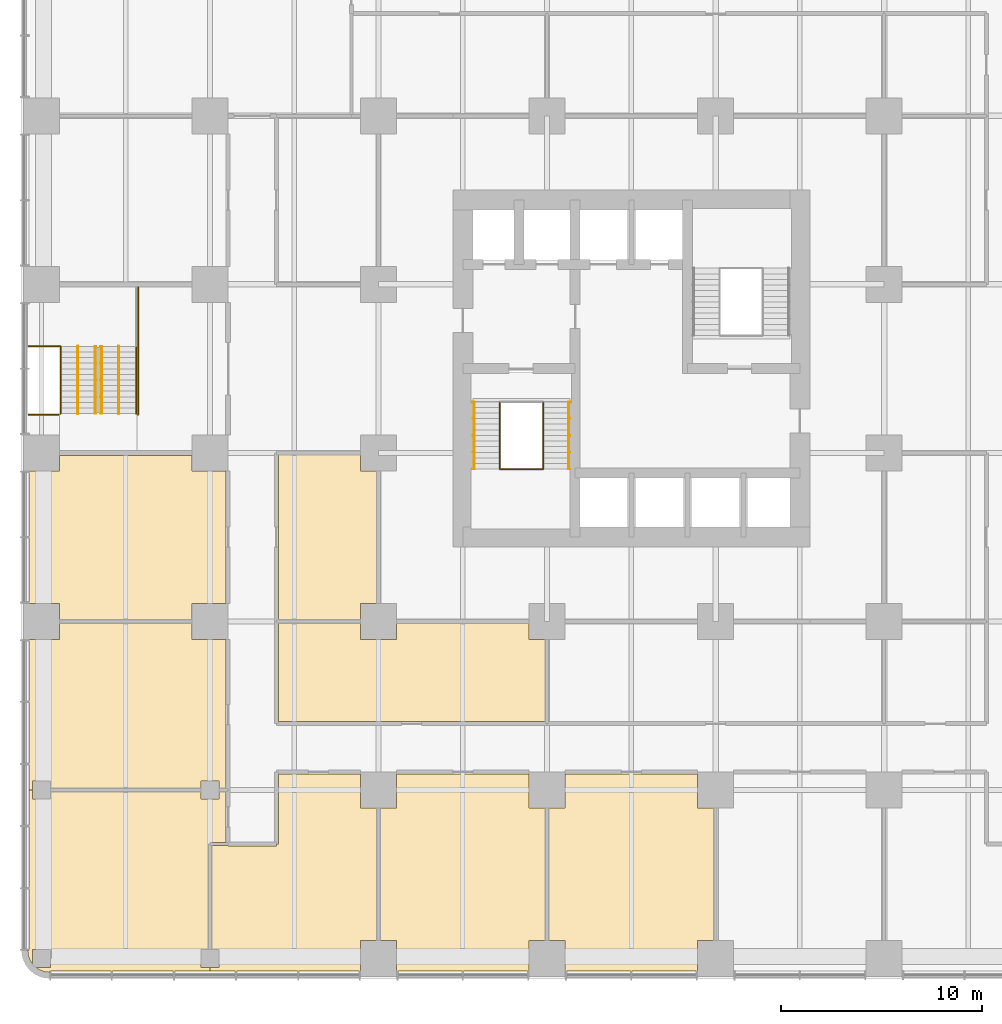
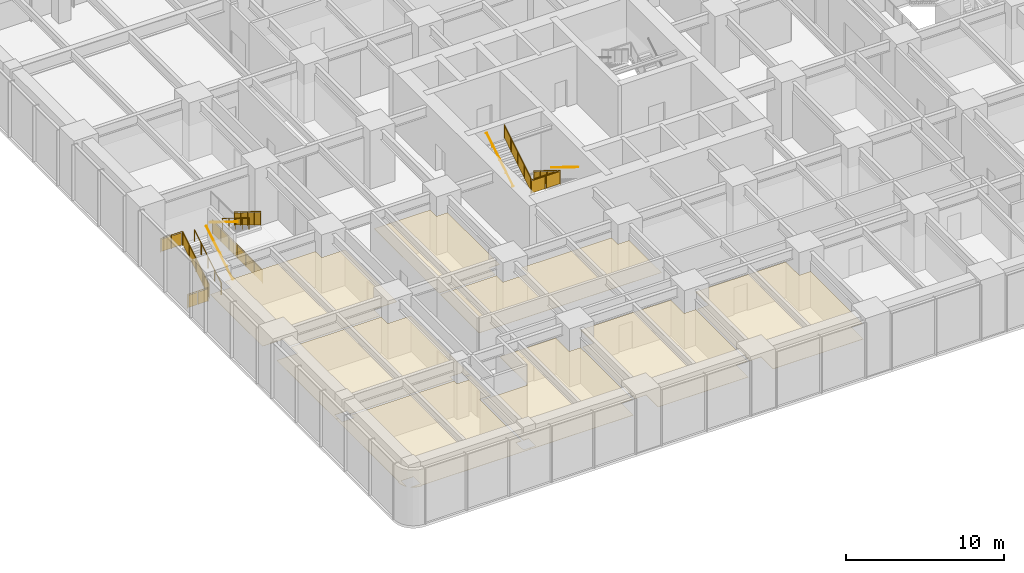
# One storey, part 14 of 17: 14 railings, 8 coverings.
"""IFC4 building model written with IfcOpenShell, lengths in metres."""

from ifc_helpers import new_model, si_unit, direction, frame, origin, origin_2d, place, context, subcontext, project, spatial, polyline, circle, outline, extrude, material, layer, layer_set, type_object, element, save


model = new_model("IFC4")

# Units and contexts
model_context = context("Model", 3, precision=1e-05, world=origin(), true_north=direction((0.0, 1.0)))
body_context = subcontext(model_context, "Body", "Model", "MODEL_VIEW")
ifc_project = project(units=[si_unit("LENGTHUNIT", "METRE"), si_unit("AREAUNIT", "SQUARE_METRE"), si_unit("VOLUMEUNIT", "CUBIC_METRE"), si_unit("PLANEANGLEUNIT", "RADIAN"), si_unit("MASSUNIT", "GRAM", prefix="KILO")], contexts=[model_context])

# Site, building, storey
site_placement = place(None, origin())
site = spatial("IfcSite", under=ifc_project, at=site_placement, CompositionType="ELEMENT")
building_placement = place(site_placement, origin())
building = spatial("IfcBuilding", under=site, at=building_placement, Name="Torre Alcanfor", CompositionType="ELEMENT")
storey_placement = place(building_placement, frame((0.0, 0.0, 19.5)))
storey = spatial("IfcBuildingStorey", under=building, at=storey_placement, Name="L04", CompositionType="ELEMENT", Elevation=19.5)

# Coverings
ifc_material_1 = material(Name="Mineral fibre acoustic tile 20 mm, NRC 0.70, on exposed suspension grid", Category="mineral fibre")
ifc_layer = layer(ifc_material_1, 0.02001953125)
ifc_layer_set = layer_set([ifc_layer], Name="Acoustic suspended ceiling 600x600 mineral fibre tile")
covering_type = type_object("IfcCoveringType", Name="Acoustic suspended ceiling 600x600 mineral fibre tile", PredefinedType="CEILING", material=ifc_layer_set)
covering_1_placement = place(storey_placement, frame((0.0, 0.0, 2.75)))
element("IfcCovering", 1, at=covering_1_placement, inside=storey, type_object=covering_type, Name="Ceiling L04-01", PredefinedType="CEILING", context=body_context, shape_type="SweptSolid", body=[
    extrude(outline(polyline([(16.72509765625, 7.5), (15.89990234375, 7.5), (15.89990234375, 9.199951171875), (11.800048828125, 9.199951171875), (11.800048828125, 5.699951171875), (11.699951171875, 5.699951171875), (11.699951171875, 5.60009765625), (9.300048828125, 5.60009765625), (9.300048828125, 5.625), (8.47509765625, 5.625), (8.47509765625, 0.449951171875), (8.85009765625, 0.449951171875), (8.85009765625, -0.449951171875), (8.39990234375, -0.449951171875), (8.39990234375, -0.625), (15.89990234375, -0.625), (15.89990234375, 0.89990234375), (16.72509765625, 0.89990234375), (16.72509765625, 7.5)])), origin(), (0.0, 0.0, 1.0), 0.02001953125),
])
covering_2_placement = place(storey_placement, frame((0.0, 0.0, 2.75)))
element("IfcCovering", 2, at=covering_2_placement, inside=storey, type_object=covering_type, Name="Ceiling L04-03", PredefinedType="CEILING", context=body_context, shape_type="SweptSolid", body=[
    extrude(outline(polyline([(-0.697509765625, 0.39990234375), (-0.659912109375, 0.115966796875), (-0.55029296875, -0.148681640625), (-0.449951171875, -0.279296875), (-0.449951171875, 0.449951171875), (0.449951171875, 0.449951171875), (0.449951171875, -0.449951171875), (-0.279296875, -0.449951171875), (-0.148681640625, -0.55029296875), (0.115966796875, -0.659912109375), (0.39990234375, -0.697509765625), (0.39990234375, -0.625), (8.39990234375, -0.625), (8.39990234375, -0.449951171875), (7.949951171875, -0.449951171875), (7.949951171875, 0.449951171875), (8.324951171875, 0.449951171875), (8.324951171875, 5.699951171875), (8.39990234375, 5.699951171875), (8.39990234375, 5.77490234375), (9.199951171875, 5.77490234375), (9.199951171875, 8.324951171875), (8.85009765625, 8.324951171875), (8.85009765625, 7.949951171875), (7.949951171875, 7.949951171875), (7.949951171875, 8.324951171875), (0.449951171875, 8.324951171875), (0.449951171875, 7.949951171875), (-0.449951171875, 7.949951171875), (-0.449951171875, 8.39990234375), (-0.625, 8.39990234375), (-0.625, 0.39990234375), (-0.697509765625, 0.39990234375)])), origin(), (0.0, 0.0, 1.0), 0.02001953125),
])
covering_3_placement = place(storey_placement, frame((0.0, 0.0, 2.75)))
element("IfcCovering", 3, at=covering_3_placement, inside=storey, type_object=covering_type, Name="Ceiling L04-05", PredefinedType="CEILING", context=body_context, shape_type="SweptSolid", body=[
    extrude(outline(polyline([(25.125, 7.5), (24.300048828125, 7.5), (24.300048828125, 9.199951171875), (17.699951171875, 9.199951171875), (17.699951171875, 7.5), (16.875, 7.5), (16.875, 0.89990234375), (17.699951171875, 0.89990234375), (17.699951171875, -0.625), (24.300048828125, -0.625), (24.300048828125, 0.89990234375), (25.125, 0.89990234375), (25.125, 7.5)])), origin(), (0.0, 0.0, 1.0), 0.02001953125),
])
covering_4_placement = place(storey_placement, frame((0.0, 0.0, 2.75)))
element("IfcCovering", 4, at=covering_4_placement, inside=storey, type_object=covering_type, Name="Ceiling L04-06", PredefinedType="CEILING", context=body_context, shape_type="SweptSolid", body=[
    extrude(outline(polyline([(33.52490234375, 7.5), (32.699951171875, 7.5), (32.699951171875, 9.199951171875), (26.10009765625, 9.199951171875), (26.10009765625, 7.5), (25.27490234375, 7.5), (25.27490234375, 0.89990234375), (26.10009765625, 0.89990234375), (26.10009765625, -0.625), (32.699951171875, -0.625), (32.699951171875, 0.89990234375), (33.52490234375, 0.89990234375), (33.52490234375, 7.5)])), origin(), (0.0, 0.0, 1.0), 0.02001953125),
])
covering_5_placement = place(storey_placement, frame((0.0, 0.0, 2.75)))
element("IfcCovering", 5, at=covering_5_placement, inside=storey, type_object=covering_type, Name="Ceiling L04-08", PredefinedType="CEILING", context=body_context, shape_type="SweptSolid", body=[
    extrude(outline(polyline([(0.89990234375, 16.72509765625), (0.89990234375, 15.89990234375), (-0.625, 15.89990234375), (-0.625, 8.39990234375), (-0.449951171875, 8.39990234375), (-0.449951171875, 8.85009765625), (0.449951171875, 8.85009765625), (0.449951171875, 8.47509765625), (7.949951171875, 8.47509765625), (7.949951171875, 8.85009765625), (8.85009765625, 8.85009765625), (8.85009765625, 8.47509765625), (9.199951171875, 8.47509765625), (9.199951171875, 15.89990234375), (7.5, 15.89990234375), (7.5, 16.72509765625), (0.89990234375, 16.72509765625)])), origin(), (0.0, 0.0, 1.0), 0.02001953125),
])
covering_6_placement = place(storey_placement, frame((0.0, 0.0, 2.75)))
element("IfcCovering", 6, at=covering_6_placement, inside=storey, type_object=covering_type, Name="Ceiling L04-10", PredefinedType="CEILING", context=body_context, shape_type="SweptSolid", body=[
    extrude(outline(polyline([(0.89990234375, 25.074951171875), (0.89990234375, 24.300048828125), (-0.625, 24.300048828125), (-0.625, 17.699951171875), (0.89990234375, 17.699951171875), (0.89990234375, 16.875), (7.5, 16.875), (7.5, 17.699951171875), (9.199951171875, 17.699951171875), (9.199951171875, 24.300048828125), (7.5, 24.300048828125), (7.5, 25.074951171875), (0.89990234375, 25.074951171875)])), origin(), (0.0, 0.0, 1.0), 0.02001953125),
])
covering_7_placement = place(storey_placement, frame((0.0, 0.0, 3.0)))
element("IfcCovering", 7, at=covering_7_placement, inside=storey, type_object=covering_type, Name="Ceiling L04-I02", PredefinedType="CEILING", context=body_context, shape_type="SweptSolid", body=[
    extrude(outline(polyline([(17.699951171875, 15.89990234375), (15.89990234375, 15.89990234375), (15.89990234375, 16.72509765625), (11.800048828125, 16.72509765625), (11.800048828125, 11.800048828125), (25.125, 11.800048828125), (25.125, 15.89990234375), (24.300048828125, 15.89990234375), (24.300048828125, 16.699951171875), (17.699951171875, 16.699951171875), (17.699951171875, 15.89990234375)])), origin(), (0.0, 0.0, 1.0), 0.02001953125),
])
covering_8_placement = place(storey_placement, frame((0.0, 0.0, 3.0)))
element("IfcCovering", 8, at=covering_8_placement, inside=storey, type_object=covering_type, Name="Ceiling L04-I04", PredefinedType="CEILING", context=body_context, shape_type="SweptSolid", body=[
    extrude(outline(polyline([(16.699951171875, 24.300048828125), (15.89990234375, 24.300048828125), (15.89990234375, 25.10009765625), (11.800048828125, 25.10009765625), (11.800048828125, 16.875), (15.89990234375, 16.875), (15.89990234375, 17.699951171875), (16.699951171875, 17.699951171875), (16.699951171875, 24.300048828125)])), origin(), (0.0, 0.0, 1.0), 0.02001953125),
])

# Railings
ifc_material_2 = material(Name="Steel ASTM A500 Grade C hollow sections", Category="steel")
railing_type_1 = type_object("IfcRailingType", Name="Stair guard and handrail 1100", PredefinedType="GUARDRAIL", material=ifc_material_2)
railing_1_placement = place(storey_placement, frame((25.0, 27.75, 0.173095703125)))
element("IfcRailing", 9, at=railing_1_placement, inside=storey, type_object=railing_type_1, Name="Stair guard S1 L04 flight 1", PredefinedType="GUARDRAIL", context=body_context, shape_type="SweptSolid", body=[
    extrude(circle(Radius=0.02392578125, at=origin_2d()), frame((0.0, 0.0, 1.076171875), z_axis=(0.0, -0.850623216509, 0.525775754039), x_axis=(1.0, 0.0, 0.0)), (0.0, 0.0, 1.0), 3.9501953125),
    extrude(circle(Radius=0.02099609375, at=origin_2d()), origin(), (0.0, 0.0, 1.0), 1.052001953125),
    extrude(circle(Radius=0.02099609375, at=origin_2d()), frame((0.0, -0.840087890625, 0.519287109375)), (0.0, 0.0, 1.0), 1.052001953125),
    extrude(circle(Radius=0.02099609375, at=origin_2d()), frame((0.0, -1.68017578125, 1.03857421875)), (0.0, 0.0, 1.0), 1.052001953125),
    extrude(circle(Radius=0.02099609375, at=origin_2d()), frame((0.0, -2.52001953125, 1.5576171875)), (0.0, 0.0, 1.0), 1.052001953125),
    extrude(circle(Radius=0.02099609375, at=origin_2d()), frame((0.0, -3.360107421875, 2.076904296875)), (0.0, 0.0, 1.0), 1.052001953125),
    extrude(outline(polyline([(0.041015625, 0.075439453125), (0.799072265625, 0.5439453125), (0.799072265625, 1.495849609375), (0.041015625, 1.02734375), (0.041015625, 0.075439453125)])), frame((0.005859375, 0.0, 0.0), z_axis=(-1.0, 0.0, 0.0), x_axis=(0.0, -1.0, 0.0)), (0.0, 0.0, 1.0), 0.011962890625),
    extrude(outline(polyline([(0.881103515625, 0.594482421875), (1.63916015625, 1.06298828125), (1.63916015625, 2.01513671875), (0.881103515625, 1.546630859375), (0.881103515625, 0.594482421875)])), frame((0.005859375, 0.0, 0.0), z_axis=(-1.0, 0.0, 0.0), x_axis=(0.0, -1.0, 0.0)), (0.0, 0.0, 1.0), 0.011962890625),
    extrude(outline(polyline([(1.720947265625, 1.11376953125), (2.47900390625, 1.582275390625), (2.47900390625, 2.534423828125), (1.720947265625, 2.065673828125), (1.720947265625, 1.11376953125)])), frame((0.005859375, 0.0, 0.0), z_axis=(-1.0, 0.0, 0.0), x_axis=(0.0, -1.0, 0.0)), (0.0, 0.0, 1.0), 0.011962890625),
    extrude(outline(polyline([(2.56103515625, 1.633056640625), (3.319091796875, 2.1015625), (3.319091796875, 3.053466796875), (2.56103515625, 2.5849609375), (2.56103515625, 1.633056640625)])), frame((0.005859375, 0.0, 0.0), z_axis=(-1.0, 0.0, 0.0), x_axis=(0.0, -1.0, 0.0)), (0.0, 0.0, 1.0), 0.011962890625),
])
railing_2_placement = place(storey_placement, frame((22.85009765625, 24.389892578125, 2.423095703125)))
element("IfcRailing", 10, at=railing_2_placement, inside=storey, type_object=railing_type_1, Name="Stair guard S1 L04 flight 2", PredefinedType="GUARDRAIL", context=body_context, shape_type="SweptSolid", body=[
    extrude(circle(Radius=0.02392578125, at=origin_2d()), frame((0.0, 0.0, 1.076171875), z_axis=(0.0, 0.850623216509, 0.525775754039), x_axis=(-1.0, 0.0, 0.0)), (0.0, 0.0, 1.0), 3.9501953125),
    extrude(circle(Radius=0.02099609375, at=origin_2d()), origin(), (0.0, 0.0, 1.0), 1.052001953125),
    extrude(circle(Radius=0.02099609375, at=origin_2d()), frame((0.0, 0.840087890625, 0.519287109375)), (0.0, 0.0, 1.0), 1.052001953125),
    extrude(circle(Radius=0.02099609375, at=origin_2d()), frame((0.0, 1.68017578125, 1.03857421875)), (0.0, 0.0, 1.0), 1.052001953125),
    extrude(circle(Radius=0.02099609375, at=origin_2d()), frame((0.0, 2.52001953125, 1.5576171875)), (0.0, 0.0, 1.0), 1.052001953125),
    extrude(circle(Radius=0.02099609375, at=origin_2d()), frame((0.0, 3.360107421875, 2.076904296875)), (0.0, 0.0, 1.0), 1.052001953125),
    extrude(outline(polyline([(0.041015625, 0.075439453125), (0.799072265625, 0.5439453125), (0.799072265625, 1.495849609375), (0.041015625, 1.02734375), (0.041015625, 0.075439453125)])), frame((-0.005859375, 0.0, 0.0), z_axis=(1.0, 0.0, 0.0), x_axis=(0.0, 1.0, 0.0)), (0.0, 0.0, 1.0), 0.011962890625),
    extrude(outline(polyline([(0.881103515625, 0.594482421875), (1.63916015625, 1.06298828125), (1.63916015625, 2.01513671875), (0.881103515625, 1.546630859375), (0.881103515625, 0.594482421875)])), frame((-0.005859375, 0.0, 0.0), z_axis=(1.0, 0.0, 0.0), x_axis=(0.0, 1.0, 0.0)), (0.0, 0.0, 1.0), 0.011962890625),
    extrude(outline(polyline([(1.720947265625, 1.11376953125), (2.47900390625, 1.582275390625), (2.47900390625, 2.534423828125), (1.720947265625, 2.065673828125), (1.720947265625, 1.11376953125)])), frame((-0.005859375, 0.0, 0.0), z_axis=(1.0, 0.0, 0.0), x_axis=(0.0, 1.0, 0.0)), (0.0, 0.0, 1.0), 0.011962890625),
    extrude(outline(polyline([(2.56103515625, 1.633056640625), (3.319091796875, 2.1015625), (3.319091796875, 3.053466796875), (2.56103515625, 2.5849609375), (2.56103515625, 1.633056640625)])), frame((-0.005859375, 0.0, 0.0), z_axis=(1.0, 0.0, 0.0), x_axis=(0.0, 1.0, 0.0)), (0.0, 0.0, 1.0), 0.011962890625),
])
railing_3_placement = place(storey_placement, frame((22.85009765625, 24.389892578125, 2.25)))
element("IfcRailing", 11, at=railing_3_placement, inside=storey, type_object=railing_type_1, Name="Stair well guard S1 L04 half landing", PredefinedType="GUARDRAIL", context=body_context, shape_type="SweptSolid", body=[
    extrude(circle(Radius=0.02392578125, at=origin_2d()), frame((0.0, 0.0, 1.076171875), z_axis=(1.0, 0.0, 0.0), x_axis=(0.0, 1.0, 0.0)), (0.0, 0.0, 1.0), 2.14990234375),
    extrude(circle(Radius=0.02099609375, at=origin_2d()), origin(), (0.0, 0.0, 1.0), 1.052001953125),
    extrude(circle(Radius=0.02099609375, at=origin_2d()), frame((1.074951171875, 0.0, 0.0)), (0.0, 0.0, 1.0), 1.052001953125),
    extrude(circle(Radius=0.02099609375, at=origin_2d()), frame((2.14990234375, 0.0, 0.0)), (0.0, 0.0, 1.0), 1.052001953125),
    extrude(outline(polyline([(0.041015625, 0.050048828125), (1.033935546875, 0.050048828125), (1.033935546875, 1.001953125), (0.041015625, 1.001953125), (0.041015625, 0.050048828125)])), frame((0.0, 0.005859375, 0.0), z_axis=(0.0, -1.0, 0.0), x_axis=(1.0, 0.0, 0.0)), (0.0, 0.0, 1.0), 0.011962890625),
    extrude(outline(polyline([(1.115966796875, 0.050048828125), (2.10888671875, 0.050048828125), (2.10888671875, 1.001953125), (1.115966796875, 1.001953125), (1.115966796875, 0.050048828125)])), frame((0.0, 0.005859375, 0.0), z_axis=(0.0, -1.0, 0.0), x_axis=(1.0, 0.0, 0.0)), (0.0, 0.0, 1.0), 0.011962890625),
])
railing_4_placement = place(storey_placement, frame((4.81005859375, 27.10498046875, 0.0)))
element("IfcRailing", 12, at=railing_4_placement, inside=storey, type_object=railing_type_1, Name="Stair well guard SS1 L04 door side", PredefinedType="GUARDRAIL", context=body_context, shape_type="SweptSolid", body=[
    extrude(circle(Radius=0.02392578125, at=origin_2d()), frame((0.0, 0.0, 1.076171875), z_axis=(0.0, 1.0, 0.0), x_axis=(-1.0, 0.0, 0.0)), (0.0, 0.0, 1.0), 6.360107421875),
    extrude(circle(Radius=0.02099609375, at=origin_2d()), origin(), (0.0, 0.0, 1.0), 1.052001953125),
    extrude(circle(Radius=0.02099609375, at=origin_2d()), frame((0.0, 1.06005859375, 0.0)), (0.0, 0.0, 1.0), 1.052001953125),
    extrude(circle(Radius=0.02099609375, at=origin_2d()), frame((0.0, 2.1201171875, 0.0)), (0.0, 0.0, 1.0), 1.052001953125),
    extrude(circle(Radius=0.02099609375, at=origin_2d()), frame((0.0, 3.18017578125, 0.0)), (0.0, 0.0, 1.0), 1.052001953125),
    extrude(circle(Radius=0.02099609375, at=origin_2d()), frame((0.0, 4.239990234375, 0.0)), (0.0, 0.0, 1.0), 1.052001953125),
    extrude(circle(Radius=0.02099609375, at=origin_2d()), frame((0.0, 5.300048828125, 0.0)), (0.0, 0.0, 1.0), 1.052001953125),
    extrude(circle(Radius=0.02099609375, at=origin_2d()), frame((0.0, 6.360107421875, 0.0)), (0.0, 0.0, 1.0), 1.052001953125),
    extrude(outline(polyline([(0.041015625, 0.050048828125), (1.01904296875, 0.050048828125), (1.01904296875, 1.001953125), (0.041015625, 1.001953125), (0.041015625, 0.050048828125)])), frame((-0.005859375, 0.0, 0.0), z_axis=(1.0, 0.0, 0.0), x_axis=(0.0, 1.0, 0.0)), (0.0, 0.0, 1.0), 0.011962890625),
    extrude(outline(polyline([(1.10107421875, 0.050048828125), (2.0791015625, 0.050048828125), (2.0791015625, 1.001953125), (1.10107421875, 1.001953125), (1.10107421875, 0.050048828125)])), frame((-0.005859375, 0.0, 0.0), z_axis=(1.0, 0.0, 0.0), x_axis=(0.0, 1.0, 0.0)), (0.0, 0.0, 1.0), 0.011962890625),
    extrude(outline(polyline([(2.1611328125, 0.050048828125), (3.13916015625, 0.050048828125), (3.13916015625, 1.001953125), (2.1611328125, 1.001953125), (2.1611328125, 0.050048828125)])), frame((-0.005859375, 0.0, 0.0), z_axis=(1.0, 0.0, 0.0), x_axis=(0.0, 1.0, 0.0)), (0.0, 0.0, 1.0), 0.011962890625),
    extrude(outline(polyline([(3.220947265625, 0.050048828125), (4.198974609375, 0.050048828125), (4.198974609375, 1.001953125), (3.220947265625, 1.001953125), (3.220947265625, 0.050048828125)])), frame((-0.005859375, 0.0, 0.0), z_axis=(1.0, 0.0, 0.0), x_axis=(0.0, 1.0, 0.0)), (0.0, 0.0, 1.0), 0.011962890625),
    extrude(outline(polyline([(4.281005859375, 0.050048828125), (5.259033203125, 0.050048828125), (5.259033203125, 1.001953125), (4.281005859375, 1.001953125), (4.281005859375, 0.050048828125)])), frame((-0.005859375, 0.0, 0.0), z_axis=(1.0, 0.0, 0.0), x_axis=(0.0, 1.0, 0.0)), (0.0, 0.0, 1.0), 0.011962890625),
    extrude(outline(polyline([(5.341064453125, 0.050048828125), (6.319091796875, 0.050048828125), (6.319091796875, 1.001953125), (5.341064453125, 1.001953125), (5.341064453125, 0.050048828125)])), frame((-0.005859375, 0.0, 0.0), z_axis=(1.0, 0.0, 0.0), x_axis=(0.0, 1.0, 0.0)), (0.0, 0.0, 1.0), 0.011962890625),
])
railing_5_placement = place(storey_placement, frame((-0.64990234375, 27.10498046875, 0.0)))
element("IfcRailing", 13, at=railing_5_placement, inside=storey, type_object=railing_type_1, Name="Stair well guard SS1 L04 facade strip", PredefinedType="GUARDRAIL", context=body_context, shape_type="SweptSolid", body=[
    extrude(circle(Radius=0.02392578125, at=origin_2d()), frame((0.0, 0.0, 1.076171875), z_axis=(1.0, 0.0, 0.0), x_axis=(0.0, 1.0, 0.0)), (0.0, 0.0, 1.0), 1.5),
    extrude(circle(Radius=0.02099609375, at=origin_2d()), origin(), (0.0, 0.0, 1.0), 1.052001953125),
    extrude(circle(Radius=0.02099609375, at=origin_2d()), frame((0.75, 0.0, 0.0)), (0.0, 0.0, 1.0), 1.052001953125),
    extrude(circle(Radius=0.02099609375, at=origin_2d()), frame((1.5, 0.0, 0.0)), (0.0, 0.0, 1.0), 1.052001953125),
    extrude(outline(polyline([(0.041015625, 0.050048828125), (0.708984375, 0.050048828125), (0.708984375, 1.001953125), (0.041015625, 1.001953125), (0.041015625, 0.050048828125)])), frame((0.0, 0.005859375, 0.0), z_axis=(0.0, -1.0, 0.0), x_axis=(1.0, 0.0, 0.0)), (0.0, 0.0, 1.0), 0.011962890625),
    extrude(outline(polyline([(0.791015625, 0.050048828125), (1.458984375, 0.050048828125), (1.458984375, 1.001953125), (0.791015625, 1.001953125), (0.791015625, 0.050048828125)])), frame((0.0, 0.005859375, 0.0), z_axis=(0.0, -1.0, 0.0), x_axis=(1.0, 0.0, 0.0)), (0.0, 0.0, 1.0), 0.011962890625),
])
railing_6_placement = place(storey_placement, frame((0.949951171875, 27.155029296875, 0.173095703125)))
element("IfcRailing", 14, at=railing_6_placement, inside=storey, type_object=railing_type_1, Name="Stair guard SS1 L04 flight 1", PredefinedType="GUARDRAIL", context=body_context, shape_type="SweptSolid", body=[
    extrude(circle(Radius=0.02392578125, at=origin_2d()), frame((0.0, 0.0, 1.076171875), z_axis=(0.0, 0.850606129759, 0.525803396734), x_axis=(-1.0, 0.0, 0.0)), (0.0, 0.0, 1.0), 3.949951171875),
    extrude(circle(Radius=0.02099609375, at=origin_2d()), origin(), (0.0, 0.0, 1.0), 1.052001953125),
    extrude(circle(Radius=0.02099609375, at=origin_2d()), frame((0.0, 0.83984375, 0.519287109375)), (0.0, 0.0, 1.0), 1.052001953125),
    extrude(circle(Radius=0.02099609375, at=origin_2d()), frame((0.0, 1.679931640625, 1.03857421875)), (0.0, 0.0, 1.0), 1.052001953125),
    extrude(circle(Radius=0.02099609375, at=origin_2d()), frame((0.0, 2.52001953125, 1.5576171875)), (0.0, 0.0, 1.0), 1.052001953125),
    extrude(circle(Radius=0.02099609375, at=origin_2d()), frame((0.0, 3.35986328125, 2.076904296875)), (0.0, 0.0, 1.0), 1.052001953125),
    extrude(outline(polyline([(0.041015625, 0.075439453125), (0.799072265625, 0.5439453125), (0.799072265625, 1.495849609375), (0.041015625, 1.02734375), (0.041015625, 0.075439453125)])), frame((-0.005859375, 0.0, 0.0), z_axis=(1.0, 0.0, 0.0), x_axis=(0.0, 1.0, 0.0)), (0.0, 0.0, 1.0), 0.011962890625),
    extrude(outline(polyline([(0.880859375, 0.594482421875), (1.638916015625, 1.06298828125), (1.638916015625, 2.01513671875), (0.880859375, 1.546630859375), (0.880859375, 0.594482421875)])), frame((-0.005859375, 0.0, 0.0), z_axis=(1.0, 0.0, 0.0), x_axis=(0.0, 1.0, 0.0)), (0.0, 0.0, 1.0), 0.011962890625),
    extrude(outline(polyline([(1.720947265625, 1.11376953125), (2.47900390625, 1.582275390625), (2.47900390625, 2.534423828125), (1.720947265625, 2.06591796875), (1.720947265625, 1.11376953125)])), frame((-0.005859375, 0.0, 0.0), z_axis=(1.0, 0.0, 0.0), x_axis=(0.0, 1.0, 0.0)), (0.0, 0.0, 1.0), 0.011962890625),
    extrude(outline(polyline([(2.560791015625, 1.633056640625), (3.31884765625, 2.1015625), (3.31884765625, 3.053466796875), (2.560791015625, 2.5849609375), (2.560791015625, 1.633056640625)])), frame((-0.005859375, 0.0, 0.0), z_axis=(1.0, 0.0, 0.0), x_axis=(0.0, 1.0, 0.0)), (0.0, 0.0, 1.0), 0.011962890625),
])
railing_7_placement = place(storey_placement, frame((4.7099609375, 30.514892578125, 2.423095703125)))
element("IfcRailing", 15, at=railing_7_placement, inside=storey, type_object=railing_type_1, Name="Stair guard SS1 L04 flight 2", PredefinedType="GUARDRAIL", context=body_context, shape_type="SweptSolid", body=[
    extrude(circle(Radius=0.02392578125, at=origin_2d()), frame((0.0, 0.0, 1.076171875), z_axis=(0.0, -0.850606129759, 0.525803396734), x_axis=(1.0, 0.0, 0.0)), (0.0, 0.0, 1.0), 3.949951171875),
    extrude(circle(Radius=0.02099609375, at=origin_2d()), origin(), (0.0, 0.0, 1.0), 1.052001953125),
    extrude(circle(Radius=0.02099609375, at=origin_2d()), frame((0.0, -0.83984375, 0.519287109375)), (0.0, 0.0, 1.0), 1.052001953125),
    extrude(circle(Radius=0.02099609375, at=origin_2d()), frame((0.0, -1.679931640625, 1.03857421875)), (0.0, 0.0, 1.0), 1.052001953125),
    extrude(circle(Radius=0.02099609375, at=origin_2d()), frame((0.0, -2.52001953125, 1.5576171875)), (0.0, 0.0, 1.0), 1.052001953125),
    extrude(circle(Radius=0.02099609375, at=origin_2d()), frame((0.0, -3.35986328125, 2.076904296875)), (0.0, 0.0, 1.0), 1.052001953125),
    extrude(outline(polyline([(0.041015625, 0.075439453125), (0.799072265625, 0.5439453125), (0.799072265625, 1.495849609375), (0.041015625, 1.02734375), (0.041015625, 0.075439453125)])), frame((0.005859375, 0.0, 0.0), z_axis=(-1.0, 0.0, 0.0), x_axis=(0.0, -1.0, 0.0)), (0.0, 0.0, 1.0), 0.011962890625),
    extrude(outline(polyline([(0.880859375, 0.594482421875), (1.638916015625, 1.06298828125), (1.638916015625, 2.01513671875), (0.880859375, 1.546630859375), (0.880859375, 0.594482421875)])), frame((0.005859375, 0.0, 0.0), z_axis=(-1.0, 0.0, 0.0), x_axis=(0.0, -1.0, 0.0)), (0.0, 0.0, 1.0), 0.011962890625),
    extrude(outline(polyline([(1.720947265625, 1.11376953125), (2.47900390625, 1.582275390625), (2.47900390625, 2.534423828125), (1.720947265625, 2.06591796875), (1.720947265625, 1.11376953125)])), frame((0.005859375, 0.0, 0.0), z_axis=(-1.0, 0.0, 0.0), x_axis=(0.0, -1.0, 0.0)), (0.0, 0.0, 1.0), 0.011962890625),
    extrude(outline(polyline([(2.560791015625, 1.633056640625), (3.31884765625, 2.1015625), (3.31884765625, 3.053466796875), (2.560791015625, 2.5849609375), (2.560791015625, 1.633056640625)])), frame((0.005859375, 0.0, 0.0), z_axis=(-1.0, 0.0, 0.0), x_axis=(0.0, -1.0, 0.0)), (0.0, 0.0, 1.0), 0.011962890625),
])
railing_8_placement = place(storey_placement, frame((-0.64990234375, 30.514892578125, 2.25)))
element("IfcRailing", 16, at=railing_8_placement, inside=storey, type_object=railing_type_1, Name="Stair guard SS1 L04 half landing facade strip", PredefinedType="GUARDRAIL", context=body_context, shape_type="SweptSolid", body=[
    extrude(circle(Radius=0.02392578125, at=origin_2d()), frame((0.0, 0.0, 1.076171875), z_axis=(1.0, 0.0, 0.0), x_axis=(0.0, 1.0, 0.0)), (0.0, 0.0, 1.0), 1.5498046875),
    extrude(circle(Radius=0.02099609375, at=origin_2d()), origin(), (0.0, 0.0, 1.0), 1.052001953125),
    extrude(circle(Radius=0.02099609375, at=origin_2d()), frame((0.77490234375, 0.0, 0.0)), (0.0, 0.0, 1.0), 1.052001953125),
    extrude(circle(Radius=0.02099609375, at=origin_2d()), frame((1.5498046875, 0.0, 0.0)), (0.0, 0.0, 1.0), 1.052001953125),
    extrude(outline(polyline([(0.041015625, 0.050048828125), (0.73388671875, 0.050048828125), (0.73388671875, 1.001953125), (0.041015625, 1.001953125), (0.041015625, 0.050048828125)])), frame((0.0, 0.005859375, 0.0), z_axis=(0.0, -1.0, 0.0), x_axis=(1.0, 0.0, 0.0)), (0.0, 0.0, 1.0), 0.011962890625),
    extrude(outline(polyline([(0.81591796875, 0.050048828125), (1.5087890625, 0.050048828125), (1.5087890625, 1.001953125), (0.81591796875, 1.001953125), (0.81591796875, 0.050048828125)])), frame((0.0, 0.005859375, 0.0), z_axis=(0.0, -1.0, 0.0), x_axis=(1.0, 0.0, 0.0)), (0.0, 0.0, 1.0), 0.011962890625),
])
ifc_material_3 = material(Name="Steel ASTM A500 Grade C hollow sections", Category="steel")
railing_type_2 = type_object("IfcRailingType", Name="Stair intermediate handrail 900", PredefinedType="HANDRAIL", material=ifc_material_3)
railing_9_placement = place(storey_placement, frame((1.81494140625, 27.155029296875, 0.173095703125)))
element("IfcRailing", 17, at=railing_9_placement, inside=storey, type_object=railing_type_2, Name="Stair intermediate handrail SS1 L04 flight 1 rail 1", PredefinedType="HANDRAIL", context=body_context, shape_type="SweptSolid", body=[
    extrude(circle(Radius=0.02392578125, at=origin_2d()), frame((0.0, 0.0, 0.8759765625), z_axis=(0.0, 0.850606129759, 0.525803396734), x_axis=(-1.0, 0.0, 0.0)), (0.0, 0.0, 1.0), 3.949951171875),
    extrude(circle(Radius=0.02099609375, at=origin_2d()), origin(), (0.0, 0.0, 1.0), 0.851806640625),
    extrude(circle(Radius=0.02099609375, at=origin_2d()), frame((0.0, 0.83984375, 0.519287109375)), (0.0, 0.0, 1.0), 0.851806640625),
    extrude(circle(Radius=0.02099609375, at=origin_2d()), frame((0.0, 1.679931640625, 1.03857421875)), (0.0, 0.0, 1.0), 0.851806640625),
    extrude(circle(Radius=0.02099609375, at=origin_2d()), frame((0.0, 2.52001953125, 1.5576171875)), (0.0, 0.0, 1.0), 0.851806640625),
    extrude(circle(Radius=0.02099609375, at=origin_2d()), frame((0.0, 3.35986328125, 2.076904296875)), (0.0, 0.0, 1.0), 0.851806640625),
])
railing_10_placement = place(storey_placement, frame((3.844970703125, 30.514892578125, 2.423095703125)))
element("IfcRailing", 18, at=railing_10_placement, inside=storey, type_object=railing_type_2, Name="Stair intermediate handrail SS1 L04 flight 2 rail 1", PredefinedType="HANDRAIL", context=body_context, shape_type="SweptSolid", body=[
    extrude(circle(Radius=0.02392578125, at=origin_2d()), frame((0.0, 0.0, 0.8759765625), z_axis=(0.0, -0.850606129759, 0.525803396734), x_axis=(1.0, 0.0, 0.0)), (0.0, 0.0, 1.0), 3.949951171875),
    extrude(circle(Radius=0.02099609375, at=origin_2d()), origin(), (0.0, 0.0, 1.0), 0.851806640625),
    extrude(circle(Radius=0.02099609375, at=origin_2d()), frame((0.0, -0.83984375, 0.519287109375)), (0.0, 0.0, 1.0), 0.851806640625),
    extrude(circle(Radius=0.02099609375, at=origin_2d()), frame((0.0, -1.679931640625, 1.03857421875)), (0.0, 0.0, 1.0), 0.851806640625),
    extrude(circle(Radius=0.02099609375, at=origin_2d()), frame((0.0, -2.52001953125, 1.5576171875)), (0.0, 0.0, 1.0), 0.851806640625),
    extrude(circle(Radius=0.02099609375, at=origin_2d()), frame((0.0, -3.35986328125, 2.076904296875)), (0.0, 0.0, 1.0), 0.851806640625),
])
ifc_material_4 = material(Name="Steel ASTM A500 Grade C hollow sections", Category="steel")
railing_type_3 = type_object("IfcRailingType", Name="Stair wall handrail 900", PredefinedType="HANDRAIL", material=ifc_material_4)
railing_11_placement = place(storey_placement, frame((26.284912109375, 27.75, 0.173095703125)))
element("IfcRailing", 19, at=railing_11_placement, inside=storey, type_object=railing_type_3, Name="Stair handrail S1 L04 flight 1", PredefinedType="HANDRAIL", context=body_context, shape_type="SweptSolid", body=[
    extrude(circle(Radius=0.02392578125, at=origin_2d()), frame((0.0, 0.0, 0.8759765625), z_axis=(0.0, -0.850623216509, 0.525775754039), x_axis=(1.0, 0.0, 0.0)), (0.0, 0.0, 1.0), 3.9501953125),
    extrude(circle(Radius=0.008056640625, at=origin_2d()), frame((0.0, 0.0, 0.8759765625), z_axis=(1.0, 0.0, 0.0), x_axis=(0.0, 0.0, 1.0)), (0.0, 0.0, 1.0), 0.06494140625),
    extrude(circle(Radius=0.008056640625, at=origin_2d()), frame((0.0, -0.840087890625, 1.39501953125), z_axis=(1.0, 0.0, 0.0), x_axis=(0.0, 0.0, 1.0)), (0.0, 0.0, 1.0), 0.06494140625),
    extrude(circle(Radius=0.008056640625, at=origin_2d()), frame((0.0, -1.68017578125, 1.914306640625), z_axis=(1.0, 0.0, 0.0), x_axis=(0.0, 0.0, 1.0)), (0.0, 0.0, 1.0), 0.06494140625),
    extrude(circle(Radius=0.008056640625, at=origin_2d()), frame((0.0, -2.52001953125, 2.43359375), z_axis=(1.0, 0.0, 0.0), x_axis=(0.0, 0.0, 1.0)), (0.0, 0.0, 1.0), 0.06494140625),
    extrude(circle(Radius=0.008056640625, at=origin_2d()), frame((0.0, -3.360107421875, 2.95263671875), z_axis=(1.0, 0.0, 0.0), x_axis=(0.0, 0.0, 1.0)), (0.0, 0.0, 1.0), 0.06494140625),
])
railing_12_placement = place(storey_placement, frame((21.56494140625, 24.389892578125, 2.423095703125)))
element("IfcRailing", 20, at=railing_12_placement, inside=storey, type_object=railing_type_3, Name="Stair handrail S1 L04 flight 2", PredefinedType="HANDRAIL", context=body_context, shape_type="SweptSolid", body=[
    extrude(circle(Radius=0.02392578125, at=origin_2d()), frame((0.0, 0.0, 0.8759765625), z_axis=(0.0, 0.850623216509, 0.525775754039), x_axis=(-1.0, 0.0, 0.0)), (0.0, 0.0, 1.0), 3.9501953125),
    extrude(circle(Radius=0.008056640625, at=origin_2d()), frame((0.0, 0.0, 0.8759765625), z_axis=(-1.0, 0.0, 0.0), x_axis=(0.0, 0.0, 1.0)), (0.0, 0.0, 1.0), 0.06494140625),
    extrude(circle(Radius=0.008056640625, at=origin_2d()), frame((0.0, 0.840087890625, 1.39501953125), z_axis=(-1.0, 0.0, 0.0), x_axis=(0.0, 0.0, 1.0)), (0.0, 0.0, 1.0), 0.06494140625),
    extrude(circle(Radius=0.008056640625, at=origin_2d()), frame((0.0, 1.68017578125, 1.914306640625), z_axis=(-1.0, 0.0, 0.0), x_axis=(0.0, 0.0, 1.0)), (0.0, 0.0, 1.0), 0.06494140625),
    extrude(circle(Radius=0.008056640625, at=origin_2d()), frame((0.0, 2.52001953125, 2.43359375), z_axis=(-1.0, 0.0, 0.0), x_axis=(0.0, 0.0, 1.0)), (0.0, 0.0, 1.0), 0.06494140625),
    extrude(circle(Radius=0.008056640625, at=origin_2d()), frame((0.0, 3.360107421875, 2.95263671875), z_axis=(-1.0, 0.0, 0.0), x_axis=(0.0, 0.0, 1.0)), (0.0, 0.0, 1.0), 0.06494140625),
])
railing_13_placement = place(storey_placement, frame((2.6650390625, 27.155029296875, 0.173095703125)))
element("IfcRailing", 21, at=railing_13_placement, inside=storey, type_object=railing_type_3, Name="Stair handrail SS1 L04 flight 1", PredefinedType="HANDRAIL", context=body_context, shape_type="SweptSolid", body=[
    extrude(circle(Radius=0.02392578125, at=origin_2d()), frame((0.0, 0.0, 0.8759765625), z_axis=(0.0, 0.850606129759, 0.525803396734), x_axis=(-1.0, 0.0, 0.0)), (0.0, 0.0, 1.0), 3.949951171875),
    extrude(circle(Radius=0.008056640625, at=origin_2d()), frame((0.0, 0.0, 0.8759765625), z_axis=(1.0, 0.0, 0.0), x_axis=(0.0, 0.0, 1.0)), (0.0, 0.0, 1.0), 0.06494140625),
    extrude(circle(Radius=0.008056640625, at=origin_2d()), frame((0.0, 0.83984375, 1.39501953125), z_axis=(1.0, 0.0, 0.0), x_axis=(0.0, 0.0, 1.0)), (0.0, 0.0, 1.0), 0.06494140625),
    extrude(circle(Radius=0.008056640625, at=origin_2d()), frame((0.0, 1.679931640625, 1.914306640625), z_axis=(1.0, 0.0, 0.0), x_axis=(0.0, 0.0, 1.0)), (0.0, 0.0, 1.0), 0.06494140625),
    extrude(circle(Radius=0.008056640625, at=origin_2d()), frame((0.0, 2.52001953125, 2.43359375), z_axis=(1.0, 0.0, 0.0), x_axis=(0.0, 0.0, 1.0)), (0.0, 0.0, 1.0), 0.06494140625),
    extrude(circle(Radius=0.008056640625, at=origin_2d()), frame((0.0, 3.35986328125, 2.95263671875), z_axis=(1.0, 0.0, 0.0), x_axis=(0.0, 0.0, 1.0)), (0.0, 0.0, 1.0), 0.06494140625),
])
railing_14_placement = place(storey_placement, frame((2.9951171875, 30.514892578125, 2.423095703125)))
element("IfcRailing", 22, at=railing_14_placement, inside=storey, type_object=railing_type_3, Name="Stair handrail SS1 L04 flight 2", PredefinedType="HANDRAIL", context=body_context, shape_type="SweptSolid", body=[
    extrude(circle(Radius=0.02392578125, at=origin_2d()), frame((0.0, 0.0, 0.8759765625), z_axis=(0.0, -0.850606129759, 0.525803396734), x_axis=(1.0, 0.0, 0.0)), (0.0, 0.0, 1.0), 3.949951171875),
    extrude(circle(Radius=0.008056640625, at=origin_2d()), frame((0.0, 0.0, 0.8759765625), z_axis=(-1.0, 0.0, 0.0), x_axis=(0.0, 0.0, 1.0)), (0.0, 0.0, 1.0), 0.06494140625),
    extrude(circle(Radius=0.008056640625, at=origin_2d()), frame((0.0, -0.83984375, 1.39501953125), z_axis=(-1.0, 0.0, 0.0), x_axis=(0.0, 0.0, 1.0)), (0.0, 0.0, 1.0), 0.06494140625),
    extrude(circle(Radius=0.008056640625, at=origin_2d()), frame((0.0, -1.679931640625, 1.914306640625), z_axis=(-1.0, 0.0, 0.0), x_axis=(0.0, 0.0, 1.0)), (0.0, 0.0, 1.0), 0.06494140625),
    extrude(circle(Radius=0.008056640625, at=origin_2d()), frame((0.0, -2.52001953125, 2.43359375), z_axis=(-1.0, 0.0, 0.0), x_axis=(0.0, 0.0, 1.0)), (0.0, 0.0, 1.0), 0.06494140625),
    extrude(circle(Radius=0.008056640625, at=origin_2d()), frame((0.0, -3.35986328125, 2.95263671875), z_axis=(-1.0, 0.0, 0.0), x_axis=(0.0, 0.0, 1.0)), (0.0, 0.0, 1.0), 0.06494140625),
])

save(model, "model.ifc")
